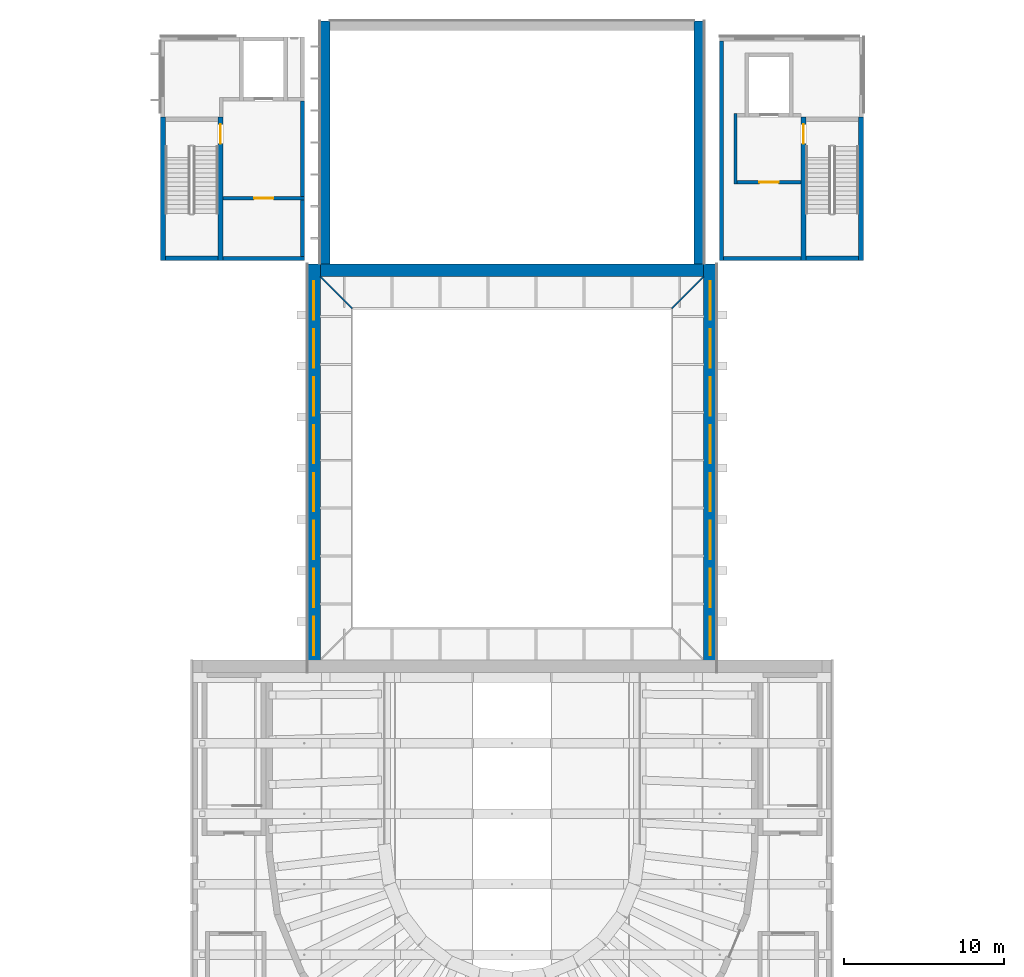
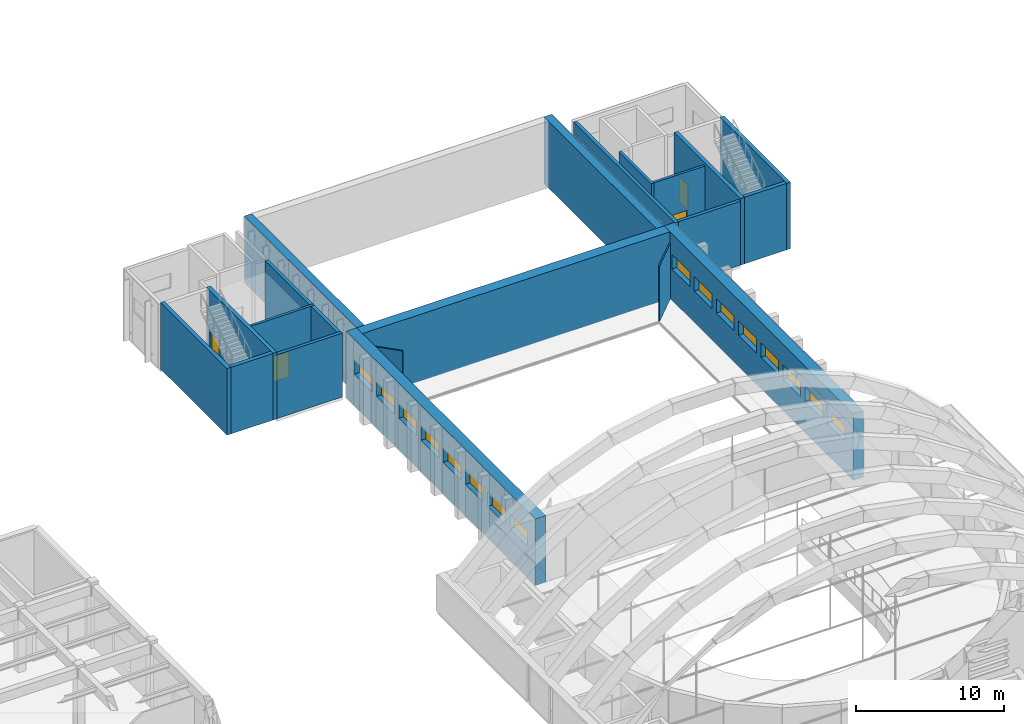
# One storey, part 67 of 94: 21 walls, 16 windows, 4 doors, 20 openings.
"""IFC4 building model written with IfcOpenShell, lengths in metres."""

from ifc_helpers import new_model, si_unit, direction, frame, frame_2d, origin, place, context, subcontext, project, spatial, rectangle, extrude, material, layer, layer_set, type_object, element, fill, save


model = new_model("IFC4")

# Units and contexts
model_context = context("Model", 3, precision=1e-05, world=origin(), true_north=direction((0.0, 1.0)))
body_context = subcontext(model_context, "Body", "Model", "MODEL_VIEW")
ifc_project = project(units=[si_unit("LENGTHUNIT", "METRE"), si_unit("AREAUNIT", "SQUARE_METRE"), si_unit("VOLUMEUNIT", "CUBIC_METRE"), si_unit("PLANEANGLEUNIT", "RADIAN"), si_unit("MASSUNIT", "GRAM", prefix="KILO")], contexts=[model_context])

# Site, building, storey
site_placement = place(None, origin())
site = spatial("IfcSite", under=ifc_project, at=site_placement, CompositionType="ELEMENT")
building_placement = place(site_placement, origin())
building = spatial("IfcBuilding", under=site, at=building_placement, Name="Lunette Opera House", CompositionType="ELEMENT")
storey_placement = place(building_placement, frame((0.0, 0.0, 22.5)))
storey = spatial("IfcBuildingStorey", under=building, at=storey_placement, Name="L04", CompositionType="ELEMENT", Elevation=22.5)

# Wall
ifc_material_1 = material(Name="Concrete C35/45", Category="concrete")
ifc_layer_1 = layer(ifc_material_1, 0.199951171875)
ifc_layer_set_1 = layer_set([ifc_layer_1], Name="Concrete C35/45")
wall_type_1 = type_object("IfcWallType", Name="LOBBY WALL 200", PredefinedType="PARTITIONING", material=ifc_layer_set_1)
wall_1_placement = place(storey_placement, frame((110.0, 130.199951171875, 0.0), z_axis=(0.0, 0.0, 1.0), x_axis=(0.0, -1.0, 0.0)))
element("IfcWall", 1, at=wall_1_placement, inside=storey, type_object=wall_type_1, Name="FL3 lobby wall 3a", PredefinedType="PARTITIONING", context=body_context, shape_type="SweptSolid", body=[
    extrude(rectangle(XDim=4.39990234375, YDim=0.199951171875, at=frame_2d((2.199951171875, 0.0))), origin(), (0.0, 0.0, 1.0), 5.280029296875),
])

# Wall, opening, door
wall_2_placement = place(storey_placement, frame((110.10009765625, 125.89990234375, 0.0), z_axis=(0.0, 0.0, 1.0), x_axis=(1.0, 0.0, 0.0)))
wall_2 = element("IfcWall", 2, at=wall_2_placement, inside=storey, type_object=wall_type_1, Name="FL3 lobby wall 4a", PredefinedType="PARTITIONING", context=body_context, shape_type="SweptSolid", body=[
    extrude(rectangle(XDim=3.97998046875, YDim=0.199951171875, at=frame_2d((1.989990234375, 0.0))), origin(), (0.0, 0.0, 1.0), 5.280029296875),
])
opening_1_placement = place(wall_2_placement, frame((1.389892578125, 0.0, 0.0)))
opening_1 = element("IfcOpeningElement", 3, at=opening_1_placement, cuts=wall_2, Name="Opening ST-D7029", PredefinedType="OPENING", context=body_context, shape_type="SweptSolid", body=[
    extrude(rectangle(XDim=1.199951171875, YDim=2.10009765625, at=frame_2d((0.60009765625, 1.050048828125))), frame((0.0, 0.112060546875, 0.0), z_axis=(0.0, -1.0, 0.0), x_axis=(1.0, 0.0, 0.0)), (0.0, 0.0, 1.0), 0.223876953125),
])
ifc_material_2 = material(Name="Steel", Category="steel")
door_type = type_object("IfcDoorType", Name="FIRE DOOR 1200 X 2100", OperationType="SINGLE_SWING_LEFT", PredefinedType="DOOR", material=ifc_material_2)
door_1_placement = place(opening_1_placement, origin())
door_1 = element("IfcDoor", 4, at=door_1_placement, inside=storey, type_object=door_type, Name="FL3 lobby door", OperationType="SINGLE_SWING_LEFT", OverallHeight=2.10009765625, OverallWidth=1.199951171875, PredefinedType="DOOR", context=body_context, shape_type="SweptSolid", body=[
    extrude(rectangle(XDim=1.199951171875, YDim=2.10009765625, at=frame_2d((0.60009765625, 1.050048828125))), frame((0.0, 0.02490234375, 0.0), z_axis=(0.0, -1.0, 0.0), x_axis=(1.0, 0.0, 0.0)), (0.0, 0.0, 1.0), 0.050048828125),
])
fill(opening_1, door_1)

wall_3_placement = place(storey_placement, frame((77.919921875, 124.89990234375, 0.0), z_axis=(0.0, 0.0, 1.0), x_axis=(1.0, 0.0, 0.0)))
wall_3 = element("IfcWall", 5, at=wall_3_placement, inside=storey, type_object=wall_type_1, Name="LL-SW lobby wall 4a", PredefinedType="PARTITIONING", context=body_context, shape_type="SweptSolid", body=[
    extrude(rectangle(XDim=5.080078125, YDim=0.199951171875, at=frame_2d((2.5400390625, 0.0))), origin(), (0.0, 0.0, 1.0), 5.280029296875),
])
opening_2_placement = place(wall_3_placement, frame((1.93994140625, 0.0, 0.0)))
opening_2 = element("IfcOpeningElement", 6, at=opening_2_placement, cuts=wall_3, Name="Opening ST-D7038", PredefinedType="OPENING", context=body_context, shape_type="SweptSolid", body=[
    extrude(rectangle(XDim=1.199951171875, YDim=2.10009765625, at=frame_2d((0.60009765625, 1.050048828125))), frame((0.0, 0.112060546875, 0.0), z_axis=(0.0, -1.0, 0.0), x_axis=(1.0, 0.0, 0.0)), (0.0, 0.0, 1.0), 0.223876953125),
])
door_2_placement = place(opening_2_placement, origin())
door_2 = element("IfcDoor", 7, at=door_2_placement, inside=storey, type_object=door_type, Name="LL-SW lobby door", OperationType="SINGLE_SWING_LEFT", OverallHeight=2.10009765625, OverallWidth=1.199951171875, PredefinedType="DOOR", context=body_context, shape_type="SweptSolid", body=[
    extrude(rectangle(XDim=1.199951171875, YDim=2.10009765625, at=frame_2d((0.60009765625, 1.050048828125))), frame((0.0, 0.02490234375, 0.0), z_axis=(0.0, -1.0, 0.0), x_axis=(1.0, 0.0, 0.0)), (0.0, 0.0, 1.0), 0.050048828125),
])
fill(opening_2, door_2)

ifc_material_3 = material(Name="Concrete C35/45", Category="concrete")
ifc_layer_2 = layer(ifc_material_3, 0.300048828125)
ifc_layer_set_2 = layer_set([ifc_layer_2], Name="Concrete C35/45")
wall_type_2 = type_object("IfcWallType", Name="RC STAIR ENCLOSURE WALL 300", PredefinedType="SOLIDWALL", material=ifc_layer_set_2)
wall_4_placement = place(storey_placement, frame((77.75, 121.0, 0.0), z_axis=(0.0, 0.0, 1.0), x_axis=(0.0, 1.0, 0.0)))
wall_4 = element("IfcWall", 8, at=wall_4_placement, inside=storey, type_object=wall_type_2, Name="ST11 enclosure wall 1", PredefinedType="SOLIDWALL", context=body_context, shape_type="SweptSolid", body=[
    extrude(rectangle(XDim=9.0, YDim=0.300048828125, at=frame_2d((4.5, 0.0))), origin(), (0.0, 0.0, 1.0), 5.5),
])
opening_3_placement = place(wall_4_placement, frame((7.324951171875, 0.0, 0.0)))
opening_3 = element("IfcOpeningElement", 9, at=opening_3_placement, cuts=wall_4, Name="Opening ST-D7007", PredefinedType="OPENING", context=body_context, shape_type="SweptSolid", body=[
    extrude(rectangle(XDim=1.199951171875, YDim=2.10009765625, at=frame_2d((0.60009765625, 1.050048828125))), frame((0.0, 0.162109375, 0.0), z_axis=(0.0, -1.0, 0.0), x_axis=(1.0, 0.0, 0.0)), (0.0, 0.0, 1.0), 0.323974609375),
])
door_3_placement = place(opening_3_placement, origin())
door_3 = element("IfcDoor", 10, at=door_3_placement, inside=storey, type_object=door_type, Name="ST11 stair door", OperationType="SINGLE_SWING_LEFT", OverallHeight=2.10009765625, OverallWidth=1.199951171875, PredefinedType="DOOR", context=body_context, shape_type="SweptSolid", body=[
    extrude(rectangle(XDim=1.199951171875, YDim=2.10009765625, at=frame_2d((0.60009765625, 1.050048828125))), frame((0.0, 0.02490234375, 0.0), z_axis=(0.0, -1.0, 0.0), x_axis=(1.0, 0.0, 0.0)), (0.0, 0.0, 1.0), 0.050048828125),
])
fill(opening_3, door_3)

# Walls
wall_5_placement = place(storey_placement, frame((74.14990234375, 130.0, 0.0), z_axis=(0.0, 0.0, 1.0), x_axis=(0.0, -1.0, 0.0)))
element("IfcWall", 11, at=wall_5_placement, inside=storey, type_object=wall_type_2, Name="ST11 enclosure wall 3", PredefinedType="SOLIDWALL", context=body_context, shape_type="SweptSolid", body=[
    extrude(rectangle(XDim=9.0, YDim=0.300048828125, at=frame_2d((4.5, 0.0))), origin(), (0.0, 0.0, 1.0), 5.5),
])
wall_6_placement = place(storey_placement, frame((74.300048828125, 121.14990234375, 0.0), z_axis=(0.0, 0.0, 1.0), x_axis=(1.0, 0.0, 0.0)))
element("IfcWall", 12, at=wall_6_placement, inside=storey, type_object=wall_type_2, Name="ST11 enclosure wall 4", PredefinedType="SOLIDWALL", context=body_context, shape_type="SweptSolid", body=[
    extrude(rectangle(XDim=3.300048828125, YDim=0.300048828125, at=frame_2d((1.64990234375, 0.0))), origin(), (0.0, 0.0, 1.0), 5.5),
])
wall_7_placement = place(storey_placement, frame((117.85009765625, 121.0, 0.0), z_axis=(0.0, 0.0, 1.0), x_axis=(0.0, 1.0, 0.0)))
element("IfcWall", 13, at=wall_7_placement, inside=storey, type_object=wall_type_2, Name="ST12 enclosure wall 1", PredefinedType="SOLIDWALL", context=body_context, shape_type="SweptSolid", body=[
    extrude(rectangle(XDim=9.0, YDim=0.300048828125, at=frame_2d((4.5, 0.0))), origin(), (0.0, 0.0, 1.0), 5.5),
])

# Wall, opening, door
wall_8_placement = place(storey_placement, frame((114.25, 130.0, 0.0), z_axis=(0.0, 0.0, 1.0), x_axis=(0.0, -1.0, 0.0)))
wall_8 = element("IfcWall", 14, at=wall_8_placement, inside=storey, type_object=wall_type_2, Name="ST12 enclosure wall 3", PredefinedType="SOLIDWALL", context=body_context, shape_type="SweptSolid", body=[
    extrude(rectangle(XDim=9.0, YDim=0.300048828125, at=frame_2d((4.5, 0.0))), origin(), (0.0, 0.0, 1.0), 5.5),
])
opening_4_placement = place(wall_8_placement, frame((0.47509765625, 0.0, 0.0)))
opening_4 = element("IfcOpeningElement", 15, at=opening_4_placement, cuts=wall_8, Name="Opening ST-D7016", PredefinedType="OPENING", context=body_context, shape_type="SweptSolid", body=[
    extrude(rectangle(XDim=1.199951171875, YDim=2.10009765625, at=frame_2d((0.60009765625, 1.050048828125))), frame((0.0, 0.162109375, 0.0), z_axis=(0.0, -1.0, 0.0), x_axis=(1.0, 0.0, 0.0)), (0.0, 0.0, 1.0), 0.323974609375),
])
door_4_placement = place(opening_4_placement, origin())
door_4 = element("IfcDoor", 16, at=door_4_placement, inside=storey, type_object=door_type, Name="ST12 stair door", OperationType="SINGLE_SWING_LEFT", OverallHeight=2.10009765625, OverallWidth=1.199951171875, PredefinedType="DOOR", context=body_context, shape_type="SweptSolid", body=[
    extrude(rectangle(XDim=1.199951171875, YDim=2.10009765625, at=frame_2d((0.60009765625, 1.050048828125))), frame((0.0, 0.02490234375, 0.0), z_axis=(0.0, -1.0, 0.0), x_axis=(1.0, 0.0, 0.0)), (0.0, 0.0, 1.0), 0.050048828125),
])
fill(opening_4, door_4)

# Walls
wall_9_placement = place(storey_placement, frame((114.39990234375, 121.14990234375, 0.0), z_axis=(0.0, 0.0, 1.0), x_axis=(1.0, 0.0, 0.0)))
element("IfcWall", 17, at=wall_9_placement, inside=storey, type_object=wall_type_2, Name="ST12 enclosure wall 4", PredefinedType="SOLIDWALL", context=body_context, shape_type="SweptSolid", body=[
    extrude(rectangle(XDim=3.300048828125, YDim=0.300048828125, at=frame_2d((1.64990234375, 0.0))), origin(), (0.0, 0.0, 1.0), 5.5),
])
ifc_material_4 = material(Name="Concrete C35/45", Category="concrete")
ifc_layer_3 = layer(ifc_material_4, 0.60009765625)
ifc_layer_set_3 = layer_set([ifc_layer_3], Name="Concrete C35/45")
wall_type_3 = type_object("IfcWallType", Name="RC WALL 600", PredefinedType="SHEAR", material=ifc_layer_set_3)
for number, where, z_axis, x_axis, name in (
    (18, (84.300048828125, 120.800048828125, 0.0), (0.0, 0.0, 1.0), (0.0, 1.0, 0.0), "wall-ST-L04-SR-W-1"),
    (19, (107.699951171875, 120.800048828125, 0.0), (0.0, 0.0, 1.0), (0.0, 1.0, 0.0), "wall-ST-L04-SR-E-1"),
):
    element("IfcWall", number, at=place(storey_placement, frame(where, z_axis=z_axis, x_axis=x_axis)), inside=storey, type_object=wall_type_3, Name=name, PredefinedType="SHEAR", context=body_context, shape_type="SweptSolid", body=[
        extrude(rectangle(XDim=15.199951171875, YDim=0.60009765625, at=frame_2d((7.60009765625, 0.0))), origin(), (0.0, 0.0, 1.0), 5.5),
    ])

# Wall, openings, windows
ifc_material_5 = material(Name="Concrete C40/50", Category="concrete")
ifc_layer_4 = layer(ifc_material_5, 0.800048828125)
ifc_layer_set_4 = layer_set([ifc_layer_4], Name="Concrete C40/50")
wall_type_4 = type_object("IfcWallType", Name="RC WALL 800", PredefinedType="SHEAR", material=ifc_layer_set_4)
wall_10_placement = place(storey_placement, frame((83.60009765625, 95.199951171875, 0.0), z_axis=(0.0, 0.0, 1.0), x_axis=(0.0, 1.0, 0.0)))
wall_10 = element("IfcWall", 20, at=wall_10_placement, inside=storey, type_object=wall_type_4, Name="wall-ST-L04-WW-1", PredefinedType="SHEAR", context=body_context, shape_type="SweptSolid", body=[
    extrude(rectangle(XDim=25.60009765625, YDim=0.800048828125, at=frame_2d((12.800048828125, 0.0))), origin(), (0.0, 0.0, 1.0), 5.5),
])
opening_5_placement = place(wall_10_placement, frame((1.10009765625, 0.0, 2.60009765625)))
opening_5 = element("IfcOpeningElement", 21, at=opening_5_placement, cuts=wall_10, Name="Opening ST-N2001", PredefinedType="OPENING", context=body_context, shape_type="SweptSolid", body=[
    extrude(rectangle(XDim=2.39990234375, YDim=1.199951171875, at=frame_2d((1.199951171875, 0.60009765625))), frame((0.0, 0.412109375, 0.0), z_axis=(0.0, -1.0, 0.0), x_axis=(1.0, 0.0, 0.0)), (0.0, 0.0, 1.0), 0.823974609375),
])
opening_6_placement = place(wall_10_placement, frame((4.10009765625, 0.0, 2.60009765625)))
opening_6 = element("IfcOpeningElement", 22, at=opening_6_placement, cuts=wall_10, Name="Opening ST-N2002", PredefinedType="OPENING", context=body_context, shape_type="SweptSolid", body=[
    extrude(rectangle(XDim=2.39990234375, YDim=1.199951171875, at=frame_2d((1.199951171875, 0.60009765625))), frame((0.0, 0.412109375, 0.0), z_axis=(0.0, -1.0, 0.0), x_axis=(1.0, 0.0, 0.0)), (0.0, 0.0, 1.0), 0.823974609375),
])
opening_7_placement = place(wall_10_placement, frame((7.10009765625, 0.0, 2.60009765625)))
opening_7 = element("IfcOpeningElement", 23, at=opening_7_placement, cuts=wall_10, Name="Opening ST-N2003", PredefinedType="OPENING", context=body_context, shape_type="SweptSolid", body=[
    extrude(rectangle(XDim=2.39990234375, YDim=1.199951171875, at=frame_2d((1.199951171875, 0.60009765625))), frame((0.0, 0.412109375, 0.0), z_axis=(0.0, -1.0, 0.0), x_axis=(1.0, 0.0, 0.0)), (0.0, 0.0, 1.0), 0.823974609375),
])
opening_8_placement = place(wall_10_placement, frame((10.10009765625, 0.0, 2.60009765625)))
opening_8 = element("IfcOpeningElement", 24, at=opening_8_placement, cuts=wall_10, Name="Opening ST-N2004", PredefinedType="OPENING", context=body_context, shape_type="SweptSolid", body=[
    extrude(rectangle(XDim=2.39990234375, YDim=1.199951171875, at=frame_2d((1.199951171875, 0.60009765625))), frame((0.0, 0.412109375, 0.0), z_axis=(0.0, -1.0, 0.0), x_axis=(1.0, 0.0, 0.0)), (0.0, 0.0, 1.0), 0.823974609375),
])
opening_9_placement = place(wall_10_placement, frame((13.10009765625, 0.0, 2.60009765625)))
opening_9 = element("IfcOpeningElement", 25, at=opening_9_placement, cuts=wall_10, Name="Opening ST-N2005", PredefinedType="OPENING", context=body_context, shape_type="SweptSolid", body=[
    extrude(rectangle(XDim=2.39990234375, YDim=1.199951171875, at=frame_2d((1.199951171875, 0.60009765625))), frame((0.0, 0.412109375, 0.0), z_axis=(0.0, -1.0, 0.0), x_axis=(1.0, 0.0, 0.0)), (0.0, 0.0, 1.0), 0.823974609375),
])
opening_10_placement = place(wall_10_placement, frame((16.10009765625, 0.0, 2.60009765625)))
opening_10 = element("IfcOpeningElement", 26, at=opening_10_placement, cuts=wall_10, Name="Opening ST-N2006", PredefinedType="OPENING", context=body_context, shape_type="SweptSolid", body=[
    extrude(rectangle(XDim=2.39990234375, YDim=1.199951171875, at=frame_2d((1.199951171875, 0.60009765625))), frame((0.0, 0.412109375, 0.0), z_axis=(0.0, -1.0, 0.0), x_axis=(1.0, 0.0, 0.0)), (0.0, 0.0, 1.0), 0.823974609375),
])
opening_11_placement = place(wall_10_placement, frame((19.10009765625, 0.0, 2.60009765625)))
opening_11 = element("IfcOpeningElement", 27, at=opening_11_placement, cuts=wall_10, Name="Opening ST-N2007", PredefinedType="OPENING", context=body_context, shape_type="SweptSolid", body=[
    extrude(rectangle(XDim=2.39990234375, YDim=1.199951171875, at=frame_2d((1.199951171875, 0.60009765625))), frame((0.0, 0.412109375, 0.0), z_axis=(0.0, -1.0, 0.0), x_axis=(1.0, 0.0, 0.0)), (0.0, 0.0, 1.0), 0.823974609375),
])
opening_12_placement = place(wall_10_placement, frame((22.10009765625, 0.0, 2.60009765625)))
opening_12 = element("IfcOpeningElement", 28, at=opening_12_placement, cuts=wall_10, Name="Opening ST-N2008", PredefinedType="OPENING", context=body_context, shape_type="SweptSolid", body=[
    extrude(rectangle(XDim=2.39990234375, YDim=1.199951171875, at=frame_2d((1.199951171875, 0.60009765625))), frame((0.0, 0.412109375, 0.0), z_axis=(0.0, -1.0, 0.0), x_axis=(1.0, 0.0, 0.0)), (0.0, 0.0, 1.0), 0.823974609375),
])
ifc_material_6 = material(Name="Aluminium", Category="aluminium")
window_type = type_object("IfcWindowType", Name="TOWER RIBBON WINDOW 2400 X 1200", PartitioningType="SINGLE_PANEL", PredefinedType="WINDOW", material=ifc_material_6)
window_1_placement = place(opening_5_placement, origin())
window_1 = element("IfcWindow", 29, at=window_1_placement, inside=storey, type_object=window_type, Name="Tower Ribbon Window 2400 X 1200 TWW1 L04", OverallHeight=1.199951171875, OverallWidth=2.39990234375, PartitioningType="SINGLE_PANEL", PredefinedType="WINDOW", context=body_context, shape_type="SweptSolid", body=[
    extrude(rectangle(XDim=2.39990234375, YDim=1.199951171875, at=frame_2d((1.199951171875, 0.60009765625))), frame((0.0, 0.030029296875, 0.0), z_axis=(0.0, -1.0, 0.0), x_axis=(1.0, 0.0, 0.0)), (0.0, 0.0, 1.0), 0.06005859375),
])
fill(opening_5, window_1)
window_2_placement = place(opening_6_placement, origin())
window_2 = element("IfcWindow", 30, at=window_2_placement, inside=storey, type_object=window_type, Name="Tower Ribbon Window 2400 X 1200 TWW2 L04", OverallHeight=1.199951171875, OverallWidth=2.39990234375, PartitioningType="SINGLE_PANEL", PredefinedType="WINDOW", context=body_context, shape_type="SweptSolid", body=[
    extrude(rectangle(XDim=2.39990234375, YDim=1.199951171875, at=frame_2d((1.199951171875, 0.60009765625))), frame((0.0, 0.030029296875, 0.0), z_axis=(0.0, -1.0, 0.0), x_axis=(1.0, 0.0, 0.0)), (0.0, 0.0, 1.0), 0.06005859375),
])
fill(opening_6, window_2)
window_3_placement = place(opening_7_placement, origin())
window_3 = element("IfcWindow", 31, at=window_3_placement, inside=storey, type_object=window_type, Name="Tower Ribbon Window 2400 X 1200 TWW3 L04", OverallHeight=1.199951171875, OverallWidth=2.39990234375, PartitioningType="SINGLE_PANEL", PredefinedType="WINDOW", context=body_context, shape_type="SweptSolid", body=[
    extrude(rectangle(XDim=2.39990234375, YDim=1.199951171875, at=frame_2d((1.199951171875, 0.60009765625))), frame((0.0, 0.030029296875, 0.0), z_axis=(0.0, -1.0, 0.0), x_axis=(1.0, 0.0, 0.0)), (0.0, 0.0, 1.0), 0.06005859375),
])
fill(opening_7, window_3)
window_4_placement = place(opening_8_placement, origin())
window_4 = element("IfcWindow", 32, at=window_4_placement, inside=storey, type_object=window_type, Name="Tower Ribbon Window 2400 X 1200 TWW4 L04", OverallHeight=1.199951171875, OverallWidth=2.39990234375, PartitioningType="SINGLE_PANEL", PredefinedType="WINDOW", context=body_context, shape_type="SweptSolid", body=[
    extrude(rectangle(XDim=2.39990234375, YDim=1.199951171875, at=frame_2d((1.199951171875, 0.60009765625))), frame((0.0, 0.030029296875, 0.0), z_axis=(0.0, -1.0, 0.0), x_axis=(1.0, 0.0, 0.0)), (0.0, 0.0, 1.0), 0.06005859375),
])
fill(opening_8, window_4)
window_5_placement = place(opening_9_placement, origin())
window_5 = element("IfcWindow", 33, at=window_5_placement, inside=storey, type_object=window_type, Name="Tower Ribbon Window 2400 X 1200 TWW5 L04", OverallHeight=1.199951171875, OverallWidth=2.39990234375, PartitioningType="SINGLE_PANEL", PredefinedType="WINDOW", context=body_context, shape_type="SweptSolid", body=[
    extrude(rectangle(XDim=2.39990234375, YDim=1.199951171875, at=frame_2d((1.199951171875, 0.60009765625))), frame((0.0, 0.030029296875, 0.0), z_axis=(0.0, -1.0, 0.0), x_axis=(1.0, 0.0, 0.0)), (0.0, 0.0, 1.0), 0.06005859375),
])
fill(opening_9, window_5)
window_6_placement = place(opening_10_placement, origin())
window_6 = element("IfcWindow", 34, at=window_6_placement, inside=storey, type_object=window_type, Name="Tower Ribbon Window 2400 X 1200 TWW6 L04", OverallHeight=1.199951171875, OverallWidth=2.39990234375, PartitioningType="SINGLE_PANEL", PredefinedType="WINDOW", context=body_context, shape_type="SweptSolid", body=[
    extrude(rectangle(XDim=2.39990234375, YDim=1.199951171875, at=frame_2d((1.199951171875, 0.60009765625))), frame((0.0, 0.030029296875, 0.0), z_axis=(0.0, -1.0, 0.0), x_axis=(1.0, 0.0, 0.0)), (0.0, 0.0, 1.0), 0.06005859375),
])
fill(opening_10, window_6)
window_7_placement = place(opening_11_placement, origin())
window_7 = element("IfcWindow", 35, at=window_7_placement, inside=storey, type_object=window_type, Name="Tower Ribbon Window 2400 X 1200 TWW7 L04", OverallHeight=1.199951171875, OverallWidth=2.39990234375, PartitioningType="SINGLE_PANEL", PredefinedType="WINDOW", context=body_context, shape_type="SweptSolid", body=[
    extrude(rectangle(XDim=2.39990234375, YDim=1.199951171875, at=frame_2d((1.199951171875, 0.60009765625))), frame((0.0, 0.030029296875, 0.0), z_axis=(0.0, -1.0, 0.0), x_axis=(1.0, 0.0, 0.0)), (0.0, 0.0, 1.0), 0.06005859375),
])
fill(opening_11, window_7)
window_8_placement = place(opening_12_placement, origin())
window_8 = element("IfcWindow", 36, at=window_8_placement, inside=storey, type_object=window_type, Name="Tower Ribbon Window 2400 X 1200 TWW8 L04", OverallHeight=1.199951171875, OverallWidth=2.39990234375, PartitioningType="SINGLE_PANEL", PredefinedType="WINDOW", context=body_context, shape_type="SweptSolid", body=[
    extrude(rectangle(XDim=2.39990234375, YDim=1.199951171875, at=frame_2d((1.199951171875, 0.60009765625))), frame((0.0, 0.030029296875, 0.0), z_axis=(0.0, -1.0, 0.0), x_axis=(1.0, 0.0, 0.0)), (0.0, 0.0, 1.0), 0.06005859375),
])
fill(opening_12, window_8)

wall_11_placement = place(storey_placement, frame((108.39990234375, 95.199951171875, 0.0), z_axis=(0.0, 0.0, 1.0), x_axis=(0.0, 1.0, 0.0)))
wall_11 = element("IfcWall", 37, at=wall_11_placement, inside=storey, type_object=wall_type_4, Name="wall-ST-L04-WE-1", PredefinedType="SHEAR", context=body_context, shape_type="SweptSolid", body=[
    extrude(rectangle(XDim=25.60009765625, YDim=0.800048828125, at=frame_2d((12.800048828125, 0.0))), origin(), (0.0, 0.0, 1.0), 5.5),
])
opening_13_placement = place(wall_11_placement, frame((1.10009765625, 0.0, 2.60009765625)))
opening_13 = element("IfcOpeningElement", 38, at=opening_13_placement, cuts=wall_11, Name="Opening ST-N2033", PredefinedType="OPENING", context=body_context, shape_type="SweptSolid", body=[
    extrude(rectangle(XDim=2.39990234375, YDim=1.199951171875, at=frame_2d((1.199951171875, 0.60009765625))), frame((0.0, 0.412109375, 0.0), z_axis=(0.0, -1.0, 0.0), x_axis=(1.0, 0.0, 0.0)), (0.0, 0.0, 1.0), 0.823974609375),
])
opening_14_placement = place(wall_11_placement, frame((4.10009765625, 0.0, 2.60009765625)))
opening_14 = element("IfcOpeningElement", 39, at=opening_14_placement, cuts=wall_11, Name="Opening ST-N2034", PredefinedType="OPENING", context=body_context, shape_type="SweptSolid", body=[
    extrude(rectangle(XDim=2.39990234375, YDim=1.199951171875, at=frame_2d((1.199951171875, 0.60009765625))), frame((0.0, 0.412109375, 0.0), z_axis=(0.0, -1.0, 0.0), x_axis=(1.0, 0.0, 0.0)), (0.0, 0.0, 1.0), 0.823974609375),
])
opening_15_placement = place(wall_11_placement, frame((7.10009765625, 0.0, 2.60009765625)))
opening_15 = element("IfcOpeningElement", 40, at=opening_15_placement, cuts=wall_11, Name="Opening ST-N2035", PredefinedType="OPENING", context=body_context, shape_type="SweptSolid", body=[
    extrude(rectangle(XDim=2.39990234375, YDim=1.199951171875, at=frame_2d((1.199951171875, 0.60009765625))), frame((0.0, 0.412109375, 0.0), z_axis=(0.0, -1.0, 0.0), x_axis=(1.0, 0.0, 0.0)), (0.0, 0.0, 1.0), 0.823974609375),
])
opening_16_placement = place(wall_11_placement, frame((10.10009765625, 0.0, 2.60009765625)))
opening_16 = element("IfcOpeningElement", 41, at=opening_16_placement, cuts=wall_11, Name="Opening ST-N2036", PredefinedType="OPENING", context=body_context, shape_type="SweptSolid", body=[
    extrude(rectangle(XDim=2.39990234375, YDim=1.199951171875, at=frame_2d((1.199951171875, 0.60009765625))), frame((0.0, 0.412109375, 0.0), z_axis=(0.0, -1.0, 0.0), x_axis=(1.0, 0.0, 0.0)), (0.0, 0.0, 1.0), 0.823974609375),
])
opening_17_placement = place(wall_11_placement, frame((13.10009765625, 0.0, 2.60009765625)))
opening_17 = element("IfcOpeningElement", 42, at=opening_17_placement, cuts=wall_11, Name="Opening ST-N2037", PredefinedType="OPENING", context=body_context, shape_type="SweptSolid", body=[
    extrude(rectangle(XDim=2.39990234375, YDim=1.199951171875, at=frame_2d((1.199951171875, 0.60009765625))), frame((0.0, 0.412109375, 0.0), z_axis=(0.0, -1.0, 0.0), x_axis=(1.0, 0.0, 0.0)), (0.0, 0.0, 1.0), 0.823974609375),
])
opening_18_placement = place(wall_11_placement, frame((16.10009765625, 0.0, 2.60009765625)))
opening_18 = element("IfcOpeningElement", 43, at=opening_18_placement, cuts=wall_11, Name="Opening ST-N2038", PredefinedType="OPENING", context=body_context, shape_type="SweptSolid", body=[
    extrude(rectangle(XDim=2.39990234375, YDim=1.199951171875, at=frame_2d((1.199951171875, 0.60009765625))), frame((0.0, 0.412109375, 0.0), z_axis=(0.0, -1.0, 0.0), x_axis=(1.0, 0.0, 0.0)), (0.0, 0.0, 1.0), 0.823974609375),
])
opening_19_placement = place(wall_11_placement, frame((19.10009765625, 0.0, 2.60009765625)))
opening_19 = element("IfcOpeningElement", 44, at=opening_19_placement, cuts=wall_11, Name="Opening ST-N2039", PredefinedType="OPENING", context=body_context, shape_type="SweptSolid", body=[
    extrude(rectangle(XDim=2.39990234375, YDim=1.199951171875, at=frame_2d((1.199951171875, 0.60009765625))), frame((0.0, 0.412109375, 0.0), z_axis=(0.0, -1.0, 0.0), x_axis=(1.0, 0.0, 0.0)), (0.0, 0.0, 1.0), 0.823974609375),
])
opening_20_placement = place(wall_11_placement, frame((22.10009765625, 0.0, 2.60009765625)))
opening_20 = element("IfcOpeningElement", 45, at=opening_20_placement, cuts=wall_11, Name="Opening ST-N2040", PredefinedType="OPENING", context=body_context, shape_type="SweptSolid", body=[
    extrude(rectangle(XDim=2.39990234375, YDim=1.199951171875, at=frame_2d((1.199951171875, 0.60009765625))), frame((0.0, 0.412109375, 0.0), z_axis=(0.0, -1.0, 0.0), x_axis=(1.0, 0.0, 0.0)), (0.0, 0.0, 1.0), 0.823974609375),
])
window_9_placement = place(opening_13_placement, origin())
window_9 = element("IfcWindow", 46, at=window_9_placement, inside=storey, type_object=window_type, Name="Tower Ribbon Window 2400 X 1200 TWE1 L04", OverallHeight=1.199951171875, OverallWidth=2.39990234375, PartitioningType="SINGLE_PANEL", PredefinedType="WINDOW", context=body_context, shape_type="SweptSolid", body=[
    extrude(rectangle(XDim=2.39990234375, YDim=1.199951171875, at=frame_2d((1.199951171875, 0.60009765625))), frame((0.0, 0.030029296875, 0.0), z_axis=(0.0, -1.0, 0.0), x_axis=(1.0, 0.0, 0.0)), (0.0, 0.0, 1.0), 0.06005859375),
])
fill(opening_13, window_9)
window_10_placement = place(opening_14_placement, origin())
window_10 = element("IfcWindow", 47, at=window_10_placement, inside=storey, type_object=window_type, Name="Tower Ribbon Window 2400 X 1200 TWE2 L04", OverallHeight=1.199951171875, OverallWidth=2.39990234375, PartitioningType="SINGLE_PANEL", PredefinedType="WINDOW", context=body_context, shape_type="SweptSolid", body=[
    extrude(rectangle(XDim=2.39990234375, YDim=1.199951171875, at=frame_2d((1.199951171875, 0.60009765625))), frame((0.0, 0.030029296875, 0.0), z_axis=(0.0, -1.0, 0.0), x_axis=(1.0, 0.0, 0.0)), (0.0, 0.0, 1.0), 0.06005859375),
])
fill(opening_14, window_10)
window_11_placement = place(opening_15_placement, origin())
window_11 = element("IfcWindow", 48, at=window_11_placement, inside=storey, type_object=window_type, Name="Tower Ribbon Window 2400 X 1200 TWE3 L04", OverallHeight=1.199951171875, OverallWidth=2.39990234375, PartitioningType="SINGLE_PANEL", PredefinedType="WINDOW", context=body_context, shape_type="SweptSolid", body=[
    extrude(rectangle(XDim=2.39990234375, YDim=1.199951171875, at=frame_2d((1.199951171875, 0.60009765625))), frame((0.0, 0.030029296875, 0.0), z_axis=(0.0, -1.0, 0.0), x_axis=(1.0, 0.0, 0.0)), (0.0, 0.0, 1.0), 0.06005859375),
])
fill(opening_15, window_11)
window_12_placement = place(opening_16_placement, origin())
window_12 = element("IfcWindow", 49, at=window_12_placement, inside=storey, type_object=window_type, Name="Tower Ribbon Window 2400 X 1200 TWE4 L04", OverallHeight=1.199951171875, OverallWidth=2.39990234375, PartitioningType="SINGLE_PANEL", PredefinedType="WINDOW", context=body_context, shape_type="SweptSolid", body=[
    extrude(rectangle(XDim=2.39990234375, YDim=1.199951171875, at=frame_2d((1.199951171875, 0.60009765625))), frame((0.0, 0.030029296875, 0.0), z_axis=(0.0, -1.0, 0.0), x_axis=(1.0, 0.0, 0.0)), (0.0, 0.0, 1.0), 0.06005859375),
])
fill(opening_16, window_12)
window_13_placement = place(opening_17_placement, origin())
window_13 = element("IfcWindow", 50, at=window_13_placement, inside=storey, type_object=window_type, Name="Tower Ribbon Window 2400 X 1200 TWE5 L04", OverallHeight=1.199951171875, OverallWidth=2.39990234375, PartitioningType="SINGLE_PANEL", PredefinedType="WINDOW", context=body_context, shape_type="SweptSolid", body=[
    extrude(rectangle(XDim=2.39990234375, YDim=1.199951171875, at=frame_2d((1.199951171875, 0.60009765625))), frame((0.0, 0.030029296875, 0.0), z_axis=(0.0, -1.0, 0.0), x_axis=(1.0, 0.0, 0.0)), (0.0, 0.0, 1.0), 0.06005859375),
])
fill(opening_17, window_13)
window_14_placement = place(opening_18_placement, origin())
window_14 = element("IfcWindow", 51, at=window_14_placement, inside=storey, type_object=window_type, Name="Tower Ribbon Window 2400 X 1200 TWE6 L04", OverallHeight=1.199951171875, OverallWidth=2.39990234375, PartitioningType="SINGLE_PANEL", PredefinedType="WINDOW", context=body_context, shape_type="SweptSolid", body=[
    extrude(rectangle(XDim=2.39990234375, YDim=1.199951171875, at=frame_2d((1.199951171875, 0.60009765625))), frame((0.0, 0.030029296875, 0.0), z_axis=(0.0, -1.0, 0.0), x_axis=(1.0, 0.0, 0.0)), (0.0, 0.0, 1.0), 0.06005859375),
])
fill(opening_18, window_14)
window_15_placement = place(opening_19_placement, origin())
window_15 = element("IfcWindow", 52, at=window_15_placement, inside=storey, type_object=window_type, Name="Tower Ribbon Window 2400 X 1200 TWE7 L04", OverallHeight=1.199951171875, OverallWidth=2.39990234375, PartitioningType="SINGLE_PANEL", PredefinedType="WINDOW", context=body_context, shape_type="SweptSolid", body=[
    extrude(rectangle(XDim=2.39990234375, YDim=1.199951171875, at=frame_2d((1.199951171875, 0.60009765625))), frame((0.0, 0.030029296875, 0.0), z_axis=(0.0, -1.0, 0.0), x_axis=(1.0, 0.0, 0.0)), (0.0, 0.0, 1.0), 0.06005859375),
])
fill(opening_19, window_15)
window_16_placement = place(opening_20_placement, origin())
window_16 = element("IfcWindow", 53, at=window_16_placement, inside=storey, type_object=window_type, Name="Tower Ribbon Window 2400 X 1200 TWE8 L04", OverallHeight=1.199951171875, OverallWidth=2.39990234375, PartitioningType="SINGLE_PANEL", PredefinedType="WINDOW", context=body_context, shape_type="SweptSolid", body=[
    extrude(rectangle(XDim=2.39990234375, YDim=1.199951171875, at=frame_2d((1.199951171875, 0.60009765625))), frame((0.0, 0.030029296875, 0.0), z_axis=(0.0, -1.0, 0.0), x_axis=(1.0, 0.0, 0.0)), (0.0, 0.0, 1.0), 0.06005859375),
])
fill(opening_20, window_16)

# Walls
wall_12_placement = place(storey_placement, frame((84.0, 120.39990234375, 0.0), z_axis=(0.0, 0.0, 1.0), x_axis=(1.0, 0.0, 0.0)))
element("IfcWall", 54, at=wall_12_placement, inside=storey, type_object=wall_type_4, Name="wall-ST-L04-WN-1", PredefinedType="SHEAR", context=body_context, shape_type="SweptSolid", body=[
    extrude(rectangle(XDim=24.0, YDim=0.800048828125, at=frame_2d((12.0, 0.0))), origin(), (0.0, 0.0, 1.0), 5.5),
])
ifc_material_7 = material(Name="Insulated aluminium sandwich panel", Category="aluminium")
ifc_layer_5 = layer(ifc_material_7, 0.25)
ifc_layer_set_5 = layer_set([ifc_layer_5], Name="Insulated aluminium sandwich panel")
wall_type_5 = type_object("IfcWallType", Name="STAGE TOWER WALL 250", PredefinedType="SOLIDWALL", material=ifc_layer_set_5)
wall_13_placement = place(storey_placement, frame((77.89794921875, 121.125, 0.0), z_axis=(0.0, 0.0, 1.0), x_axis=(1.0, 0.0, 0.0)))
element("IfcWall", 55, at=wall_13_placement, inside=storey, type_object=wall_type_5, Name="Stage Tower Wall 250 TW-033 L04", PredefinedType="SOLIDWALL", context=body_context, shape_type="SweptSolid", body=[
    extrude(rectangle(XDim=5.10205078125, YDim=0.25, at=frame_2d((2.551025390625, 0.0))), origin(), (0.0, 0.0, 1.0), 5.280029296875),
])
wall_14_placement = place(storey_placement, frame((82.875, 121.25, 0.0), z_axis=(0.0, 0.0, 1.0), x_axis=(0.0, 1.0, 0.0)))
element("IfcWall", 56, at=wall_14_placement, inside=storey, type_object=wall_type_5, Name="Stage Tower Wall 250 TW-034 L04", PredefinedType="SOLIDWALL", context=body_context, shape_type="SweptSolid", body=[
    extrude(rectangle(XDim=3.554931640625, YDim=0.25, at=frame_2d((1.77734375, 0.0))), origin(), (0.0, 0.0, 1.0), 5.280029296875),
])
wall_15_placement = place(storey_placement, frame((82.875, 124.9951171875, 0.0), z_axis=(0.0, 0.0, 1.0), x_axis=(0.0, 1.0, 0.0)))
element("IfcWall", 57, at=wall_15_placement, inside=storey, type_object=wall_type_5, Name="Stage Tower Wall 250 TW-035 L04", PredefinedType="SOLIDWALL", context=body_context, shape_type="SweptSolid", body=[
    extrude(rectangle(XDim=6.009765625, YDim=0.25, at=frame_2d((3.0048828125, 0.0))), origin(), (0.0, 0.0, 1.0), 5.280029296875),
])
wall_16_placement = place(storey_placement, frame((109.125, 134.75, 0.0), z_axis=(0.0, 0.0, 1.0), x_axis=(0.0, -1.0, 0.0)))
element("IfcWall", 58, at=wall_16_placement, inside=storey, type_object=wall_type_5, Name="Stage Tower Wall 250 TE-039 L04", PredefinedType="SOLIDWALL", context=body_context, shape_type="SweptSolid", body=[
    extrude(rectangle(XDim=13.75, YDim=0.25, at=frame_2d((6.875, 0.0))), origin(), (0.0, 0.0, 1.0), 5.280029296875),
])
wall_17_placement = place(storey_placement, frame((109.25, 121.125, 0.0), z_axis=(0.0, 0.0, 1.0), x_axis=(1.0, 0.0, 0.0)))
element("IfcWall", 59, at=wall_17_placement, inside=storey, type_object=wall_type_5, Name="Stage Tower Wall 250 TE-040 L04", PredefinedType="SOLIDWALL", context=body_context, shape_type="SweptSolid", body=[
    extrude(rectangle(XDim=4.85205078125, YDim=0.25, at=frame_2d((2.426025390625, 0.0))), origin(), (0.0, 0.0, 1.0), 5.280029296875),
])
ifc_material_8 = material(Name="Gypsum board on steel studs", Category="steel")
ifc_layer_6 = layer(ifc_material_8, 0.10009765625)
ifc_layer_set_6 = layer_set([ifc_layer_6], Name="Gypsum board on steel studs")
wall_type_6 = type_object("IfcWallType", Name="STUD PARTITION 100", PredefinedType="PARTITIONING", material=ifc_layer_set_6)
for number, where, z_axis, x_axis, name in (
    (60, (84.0009765625, 119.9990234375, 0.0), (0.0, 0.0, 1.0), (0.707106781187, -0.707106781187, 0.0), "Partition Fly Gallery 22.5 North"),
    (61, (106.0, 118.0, 0.0), (0.0, 0.0, 1.0), (0.707106781187, 0.707106781187, 0.0), "Partition Fly Gallery 22.5 North"),
):
    element("IfcWall", number, at=place(storey_placement, frame(where, z_axis=z_axis, x_axis=x_axis)), inside=storey, type_object=wall_type_6, Name=name, PredefinedType="PARTITIONING", context=body_context, shape_type="SweptSolid", body=[
        extrude(rectangle(XDim=2.8271484375, YDim=0.10009765625, at=frame_2d((1.41357421875, 0.0))), origin(), (0.0, 0.0, 1.0), 4.60009765625),
    ])

save(model, "model.ifc")
